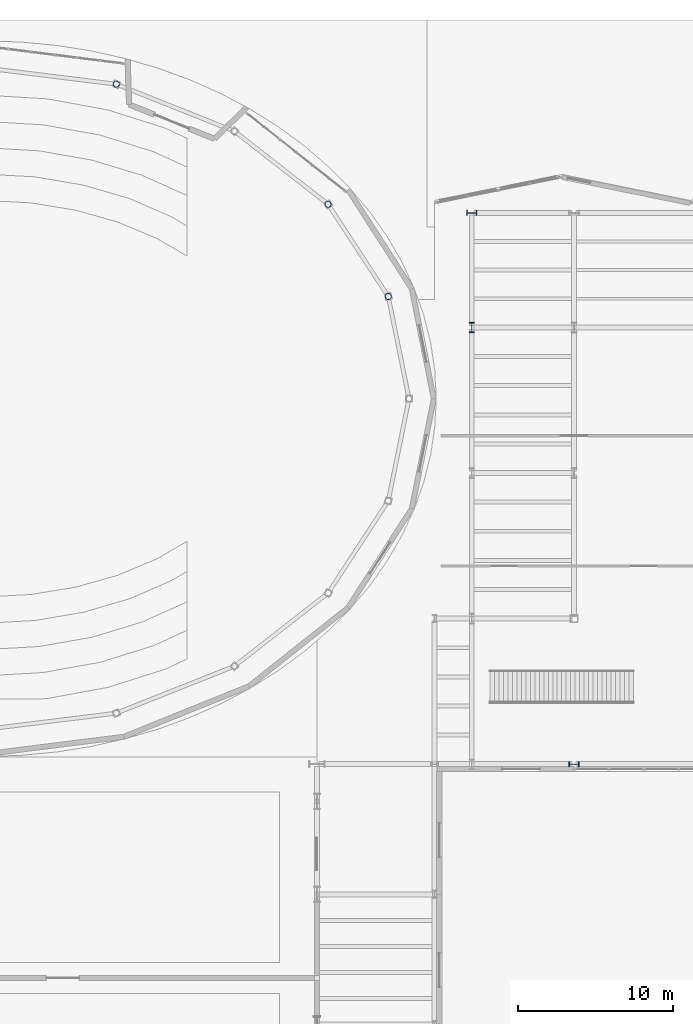
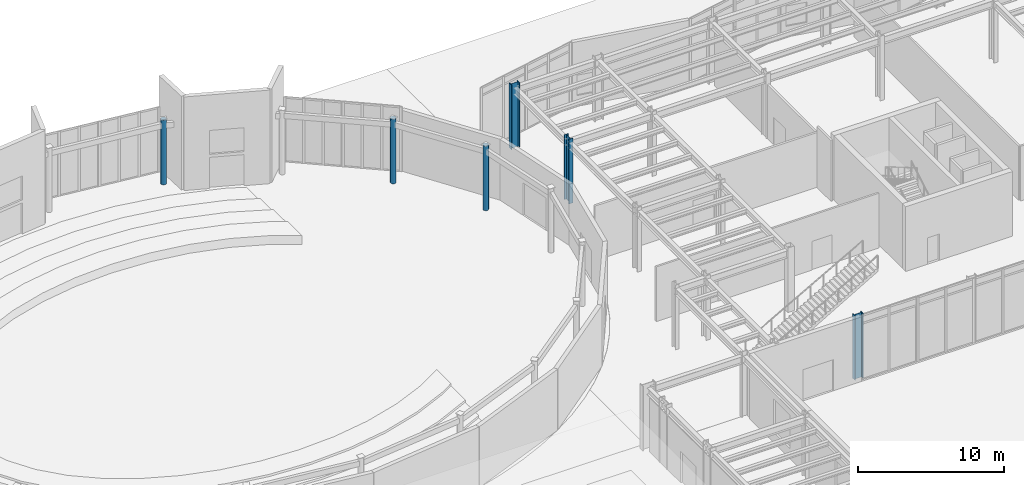
# One storey, part 10 of 94: 6 columns.
"""IFC4 building model written with IfcOpenShell, lengths in metres."""

from ifc_helpers import new_model, si_unit, direction, frame, origin, origin_2d, place, context, subcontext, project, spatial, hollow_circle, i_section, extrude, material, material_profile, profile_set, type_object, element, save


model = new_model("IFC4")

# Units and contexts
model_context = context("Model", 3, precision=1e-05, world=origin(), true_north=direction((0.0, 1.0)))
body_context = subcontext(model_context, "Body", "Model", "MODEL_VIEW")
ifc_project = project(units=[si_unit("LENGTHUNIT", "METRE"), si_unit("AREAUNIT", "SQUARE_METRE"), si_unit("VOLUMEUNIT", "CUBIC_METRE"), si_unit("PLANEANGLEUNIT", "RADIAN"), si_unit("MASSUNIT", "GRAM", prefix="KILO")], contexts=[model_context])

# Site, building, storey
site_placement = place(None, origin())
site = spatial("IfcSite", under=ifc_project, at=site_placement, CompositionType="ELEMENT")
building_placement = place(site_placement, origin())
building = spatial("IfcBuilding", under=site, at=building_placement, Name="Sollismere Congress Hotel", CompositionType="ELEMENT")
storey_placement = place(building_placement, origin())
storey = spatial("IfcBuildingStorey", under=building, at=storey_placement, Name="L00", CompositionType="ELEMENT", Elevation=0.0)

# Columns
ifc_material_1 = material(Name="Steel ASTM A500 Grade C", Category="steel")
ifc_material_profile_1 = material_profile(ifc_material_1, hollow_circle(Radius=0.202880859375, WallThickness=0.01611328125, at=origin_2d()), Name="CHS406X16")
ifc_profile_set_1 = profile_set([ifc_material_profile_1], Name="Steel ASTM A500 Grade C")
column_type_1 = type_object("IfcColumnType", Name="COL-CHS406I", PredefinedType="COLUMN", material=ifc_profile_set_1)
for number, where, z_axis, x_axis, name in (
    (1, (55.011474609375, 96.99755859375, 0.0), (0.0, 0.0, 1.0), (0.969316774365, 0.245814952628, 0.0), "Column CL-L00-1152"),
    (2, (51.126708984375, 102.94921875, 0.0), (0.0, 0.0, 1.0), (0.869839554062, 0.493334724289, 0.0), "Column CL-L00-1156"),
    (3, (37.45166015625, 110.705078125, 0.0), (0.0, 0.0, 1.0), (0.38429532266, 0.923210217113, 0.0), "Column CL-L00-1164"),
):
    element("IfcColumn", number, at=place(storey_placement, frame(where, z_axis=z_axis, x_axis=x_axis)), inside=storey, type_object=column_type_1, Name=name, PredefinedType="COLUMN", context=body_context, shape_type="SweptSolid", body=[
        extrude(hollow_circle(Radius=0.202880859375, WallThickness=0.01611328125, at=origin_2d()), origin(), (0.0, 0.0, 1.0), 5.39990234375),
    ])
ifc_material_2 = material(Name="Steel ASTM A992 Grade 50", Category="steel")
ifc_material_profile_2 = material_profile(ifc_material_2, i_section(OverallWidth=0.3330078125, OverallDepth=0.659912109375, WebThickness=0.0244140625, FlangeThickness=0.0439453125, at=origin_2d()), Name="W24X229")
ifc_profile_set_2 = profile_set([ifc_material_profile_2], Name="Steel ASTM A992 Grade 50")
column_type_2 = type_object("IfcColumnType", Name="COL-W24", PredefinedType="COLUMN", material=ifc_profile_set_2)
for number, where, z_axis, x_axis, name in (
    (4, (67.0, 66.800048828125, 0.0), (0.0, 0.0, 1.0), (0.0, 1.0, 0.0), "Column CL-L00-315"),
    (5, (60.39990234375, 95.0, 0.0), (0.0, 0.0, 1.0), (1.0, 0.0, 0.0), "Column CL-L00-1076"),
    (6, (60.39990234375, 102.39990234375, 0.0), (0.0, 0.0, 1.0), (0.0, 1.0, 0.0), "Column CL-L00-1082"),
):
    element("IfcColumn", number, at=place(storey_placement, frame(where, z_axis=z_axis, x_axis=x_axis)), inside=storey, type_object=column_type_2, Name=name, PredefinedType="COLUMN", context=body_context, shape_type="SweptSolid", body=[
        extrude(i_section(OverallWidth=0.3330078125, OverallDepth=0.659912109375, WebThickness=0.0244140625, FlangeThickness=0.0439453125, at=origin_2d()), origin(), (0.0, 0.0, 1.0), 5.39990234375),
    ])

save(model, "model.ifc")
